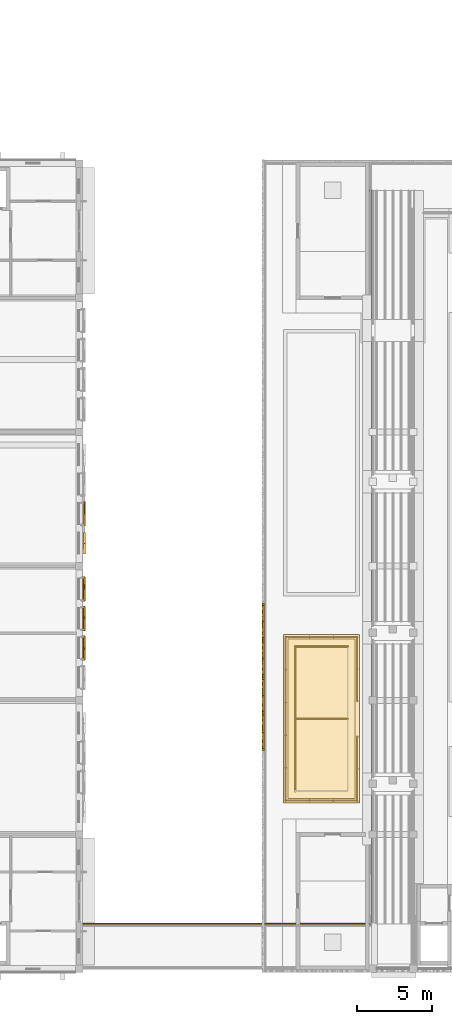
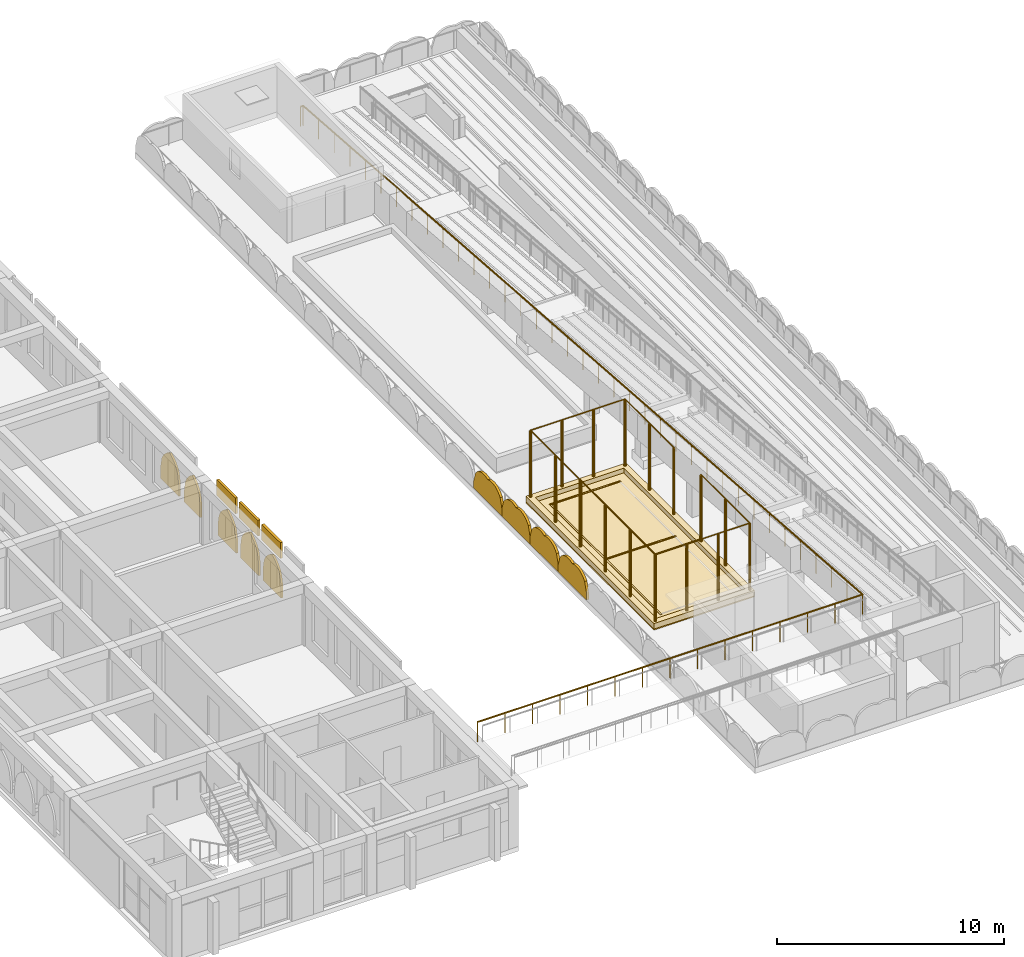
# One storey, part 44 of 50: 9 coverings, 9 shading devices, 2 railings.
"""IFC4 building model written with IfcOpenShell, lengths in metres."""

import ifcopenshell
import ifcopenshell.guid

model = None  # the IFC model being written
_history = None  # IfcOwnerHistory: only IFC2X3 demands one
_inside = {}  # id of a spatial element -> (the spatial element, [elements in it])
_under = {}  # id of a project, library or spatial element -> (it, [spatial elements below it])
_declared = {}  # id of a project -> (the project, [libraries it declares])
_typed = {}  # id of a type object -> (the type object, [elements of that type])
_made_of = {}  # id of a material, layer set ... -> (it, [elements and type objects made of it])


def new_model(schema):
    """Start an empty IFC model of exactly this schema.

    Asked for "IFC4X3", IfcOpenShell would pick the latest addendum, in which some entities
    have other attributes; the version numbers below select the first issue.
    IFC2X3 requires an IfcOwnerHistory on every rooted entity: one is made here for all.
    """
    global model, _history
    if schema == "IFC4X3":
        model = ifcopenshell.file(schema_version=(4, 3, 0, 0))
    else:
        model = ifcopenshell.file(schema=schema)
    _inside.clear()
    _under.clear()
    _declared.clear()
    _typed.clear()
    _made_of.clear()
    _history = None
    if model.schema == "IFC2X3":
        org = make("IfcOrganization", Name="unknown")
        user = make(
            "IfcPersonAndOrganization",
            ThePerson=make("IfcPerson", FamilyName="unknown"),
            TheOrganization=org,
        )
        app = make(
            "IfcApplication",
            ApplicationDeveloper=org,
            Version="unknown",
            ApplicationFullName="unknown",
            ApplicationIdentifier="unknown",
        )
        _history = make(
            "IfcOwnerHistory",
            OwningUser=user,
            OwningApplication=app,
            ChangeAction="ADDED",
            CreationDate=0,
        )
    return model


def make(cls, **values):
    """One entity of the class cls with the attributes given. An attribute that is None is left unset."""
    return model.create_entity(
        cls, **{name: value for name, value in values.items() if value is not None}
    )


def rooted(cls, **values):
    """An entity with a GlobalId (a new one), such as an element, a storey or a relation."""
    return make(cls, GlobalId=ifcopenshell.guid.new(), OwnerHistory=_history, **values)


def si_unit(unit_type, name, prefix=None):
    """IfcSIUnit, for example si_unit("LENGTHUNIT", "METRE", prefix="MILLI")."""
    return make("IfcSIUnit", UnitType=unit_type, Prefix=prefix, Name=name)


def assignment(units):
    """IfcUnitAssignment: the units of a project."""
    return None if units is None else make("IfcUnitAssignment", Units=units)


def point(xyz):
    """IfcCartesianPoint."""
    return None if xyz is None else make("IfcCartesianPoint", Coordinates=xyz)


def direction(xyz):
    """IfcDirection."""
    return None if xyz is None else make("IfcDirection", DirectionRatios=xyz)


def frame(location, z_axis=None, x_axis=None):
    """IfcAxis2Placement3D, a coordinate frame: its origin and axes. An axis left out is left unset."""
    return make(
        "IfcAxis2Placement3D",
        Location=point(location),
        Axis=direction(z_axis),
        RefDirection=direction(x_axis),
    )


def frame_2d(location, x_axis=None):
    """IfcAxis2Placement2D, a coordinate frame in the plane: its origin and x axis."""
    return make(
        "IfcAxis2Placement2D", Location=point(location), RefDirection=direction(x_axis)
    )


def origin():
    """The frame at (0, 0, 0) with its axes left unset."""
    return frame((0.0, 0.0, 0.0))


def origin_2d():
    """The frame at (0, 0) in the plane with its x axis left unset."""
    return frame_2d((0.0, 0.0))


def place(relative_to, where):
    """IfcLocalPlacement: puts the frame where relative to a parent placement (None: the world)."""
    return make(
        "IfcLocalPlacement", PlacementRelTo=relative_to, RelativePlacement=where
    )


def context(
    kind, dimensions, precision=None, world=None, true_north=None, identifier=None
):
    """IfcGeometricRepresentationContext, for example the 3D "Model" context."""
    return make(
        "IfcGeometricRepresentationContext",
        ContextIdentifier=identifier,
        ContextType=kind,
        CoordinateSpaceDimension=dimensions,
        Precision=precision,
        WorldCoordinateSystem=world,
        TrueNorth=true_north,
    )


def subcontext(parent, identifier, kind, view, scale=None):
    """IfcGeometricRepresentationSubContext, for example "Body" below "Model"."""
    return make(
        "IfcGeometricRepresentationSubContext",
        ContextIdentifier=identifier,
        ContextType=kind,
        ParentContext=parent,
        TargetScale=scale,
        TargetView=view,
    )


def project(units=None, contexts=None):
    """IfcProject with its units and contexts."""
    return rooted(
        "IfcProject",
        Name="project",
        RepresentationContexts=contexts,
        UnitsInContext=assignment(units),
    )


def spatial(cls, under=None, at=None, **own):
    """A site, building, storey or space (cls), placed at a placement, below another one or the project."""
    s = rooted(cls, ObjectPlacement=at, **own)
    if under is not None:
        _under.setdefault(under.id(), (under, []))[1].append(s)
    return s


def polyline(points):
    """IfcPolyline through the points."""
    return make("IfcPolyline", Points=[point(p) for p in points])


def profile(cls, at=None, kind="AREA", **sizes):
    """A parametric profile (cls). Its sizes go by their IFC names, for example OverallWidth=200.0."""
    return make(cls, ProfileType=kind, Position=at, **sizes)


def rectangle(**sizes):
    """IfcRectangleProfileDef."""
    return profile("IfcRectangleProfileDef", **sizes)


def circle(**sizes):
    """IfcCircleProfileDef."""
    return profile("IfcCircleProfileDef", **sizes)


def outline(outer, holes=None, kind="AREA"):
    """IfcArbitraryClosedProfileDef: a profile drawn as a closed curve; with holes, ...WithVoids."""
    if holes is None:
        return make("IfcArbitraryClosedProfileDef", ProfileType=kind, OuterCurve=outer)
    return make(
        "IfcArbitraryProfileDefWithVoids",
        ProfileType=kind,
        OuterCurve=outer,
        InnerCurves=holes,
    )


def extrude(swept, where, along, depth):
    """IfcExtrudedAreaSolid: the profile swept, set in the frame where, extruded along a direction by depth."""
    return make(
        "IfcExtrudedAreaSolid",
        SweptArea=swept,
        Position=where,
        ExtrudedDirection=direction(along),
        Depth=depth,
    )


def shape(context_of_items, identifier, shape_type, items):
    """IfcShapeRepresentation: the items that make up one representation, for example the "Body"."""
    return make(
        "IfcShapeRepresentation",
        ContextOfItems=context_of_items,
        RepresentationIdentifier=identifier,
        RepresentationType=shape_type,
        Items=items,
    )


def material(Name=None, Category=None):
    """IfcMaterial."""
    return make("IfcMaterial", Name=Name, Category=Category)


def layer(
    of_material, thickness, ventilated=None, Name=None, Category=None, Priority=None
):
    """IfcMaterialLayer: one layer of a wall or slab, of a material (None: an air gap)."""
    return make(
        "IfcMaterialLayer",
        Material=of_material,
        LayerThickness=thickness,
        IsVentilated=ventilated,
        Name=Name,
        Category=Category,
        Priority=Priority,
    )


def layer_set(layers, Name=None):
    """IfcMaterialLayerSet."""
    return make("IfcMaterialLayerSet", MaterialLayers=layers, LayerSetName=Name)


def made_of(thing, what):
    """Note that an element or type object is made of a material, layer set ...; save() writes the relation."""
    if what is not None:
        _made_of.setdefault(what.id(), (what, []))[1].append(thing)
    return thing


def type_object(cls, material=None, **own):
    """A type object (cls), such as IfcWallType, which elements share."""
    return made_of(rooted(cls, **own), material)


def element(
    cls,
    number,
    at=None,
    inside=None,
    cuts=None,
    type_object=None,
    material=None,
    context=None,
    identifier="Body",
    shape_type=None,
    held_by="IfcProductDefinitionShape",
    body=None,
    shapes=None,
    **own,
):
    """One element of the class cls, such as IfcWall. Its Tag is "e" and its number.

    at: its placement. inside: the storey or other place that contains it. cuts: it is an
    opening in that element (IfcRelVoidsElement). A single representation is given by context,
    identifier, shape_type and body (its items); several are given by shapes. held_by: the class
    of the entity that holds the representations. save() writes the other relations.
    """
    e = rooted(cls, Tag="e%d" % number, ObjectPlacement=at, **own)
    if body is not None:
        shapes = [shape(context, identifier, shape_type, body)]
    if shapes is not None:
        e.Representation = make(held_by, Representations=shapes)
    if inside is not None:
        _inside.setdefault(inside.id(), (inside, []))[1].append(e)
    if cuts is not None:
        rooted(
            "IfcRelVoidsElement", RelatingBuildingElement=cuts, RelatedOpeningElement=e
        )
    if type_object is not None:
        _typed.setdefault(type_object.id(), (type_object, []))[1].append(e)
    return made_of(e, material)


def aggregate(whole, parts):
    """IfcRelAggregates: a whole, such as a stair, and the parts it consists of."""
    return rooted("IfcRelAggregates", RelatingObject=whole, RelatedObjects=parts)


def save(model, path):
    """Write the relations noted so far, then the file.

    IfcRelAggregates (storeys below a building ...), IfcRelContainedInSpatialStructure (elements
    in a storey), IfcRelDefinesByType, IfcRelAssociatesMaterial and IfcRelDeclares: one each for
    every whole, place, type object, material and project.
    """
    for whole, parts in _under.values():
        aggregate(whole, parts)
    for where, things in _inside.values():
        rooted(
            "IfcRelContainedInSpatialStructure",
            RelatedElements=things,
            RelatingStructure=where,
        )
    for kind, things in _typed.values():
        rooted("IfcRelDefinesByType", RelatedObjects=things, RelatingType=kind)
    for what, things in _made_of.values():
        rooted("IfcRelAssociatesMaterial", RelatedObjects=things, RelatingMaterial=what)
    for by, libraries in _declared.values():
        rooted("IfcRelDeclares", RelatingContext=by, RelatedDefinitions=libraries)
    model.write(path)


model = new_model("IFC4")

# Units and contexts
model_context = context("Model", 3, precision=1e-05, world=origin(), true_north=direction((0.0, 1.0)))
body_context = subcontext(model_context, "Body", "Model", "MODEL_VIEW")
ifc_project = project(units=[si_unit("LENGTHUNIT", "METRE"), si_unit("AREAUNIT", "SQUARE_METRE"), si_unit("VOLUMEUNIT", "CUBIC_METRE"), si_unit("PLANEANGLEUNIT", "RADIAN"), si_unit("MASSUNIT", "GRAM", prefix="KILO")], contexts=[model_context])

# Site, building, storey
site_placement = place(None, origin())
site = spatial("IfcSite", under=ifc_project, at=site_placement, CompositionType="ELEMENT")
building_placement = place(site_placement, origin())
building = spatial("IfcBuilding", under=site, at=building_placement, Name="Elbe Cascade School", CompositionType="ELEMENT")
storey_placement = place(building_placement, frame((0.0, 0.0, 15.300048828125)))
storey = spatial("IfcBuildingStorey", under=building, at=storey_placement, Name="L04", CompositionType="ELEMENT", Elevation=15.300048828125)

# Shading devices
ifc_material_1 = material(Name="Precast concrete C40/50", Category="concrete")
ifc_layer_1 = layer(ifc_material_1, 0.1201171875)
ifc_layer_set_1 = layer_set([ifc_layer_1], Name="Precast concrete C40/50")
shading_device_type_1 = type_object("IfcShadingDeviceType", Name="Bars envelope Attic jali screen, pointed arch top, pierced precast concrete, 1200 high", PredefinedType="USERDEFINED", material=ifc_layer_set_1)
shading_device_1_placement = place(storey_placement, frame((98.3798828125, 20.613525390625, 0.39990234375), z_axis=(-1.0, 0.0, 0.0), x_axis=(0.0, 0.297341674145, 0.954771139497)))
element("IfcShadingDevice", 1, at=shading_device_1_placement, inside=storey, type_object=shading_device_type_1, Name="Attic jali screen SD1 B.L04.w7", ObjectType="JALI", PredefinedType="USERDEFINED", context=body_context, shape_type="SweptSolid", body=[
    extrude(outline(polyline([(0.0, 0.0), (0.5213843546183408, 0.0), (0.7310435248660785, 0.0968239861308065), (0.8775330225543048, 0.21332072462811125), (0.9850950836468173, 0.3419405245468374), (1.0623543497845827, 0.47999743814690954), (1.112807297308533, 0.6264025676958647), (1.1367596178235617, 0.7813164184342674), (1.1322013375835094, 0.9448535389739736), (1.2288077728077673, 1.0768852184544173), (1.2969762004591083, 1.2177732661588931), (1.3386440011015277, 1.3671700350528164), (1.353432889947968, 1.5246819214728944), (1.337918983839661, 1.6916309215743182), (1.2834776411356403, 1.870702983097163), (1.1658666258721082, 2.0694477969865064), (0.7366030194201371, 2.365249695429385), (0.35478780299032203, 2.4841573278143447), (-0.38181521642981503, 0.11890763238495955), (0.0, 0.0)])), origin(), (0.0, 0.0, -1.0), 0.1201171875),
])
shading_device_2_placement = place(storey_placement, frame((98.3798828125, 23.0908203125, 0.39990234375), z_axis=(-1.0, 0.0, 0.0), x_axis=(0.0, 0.296914729778, 0.954903996871)))
element("IfcShadingDevice", 2, at=shading_device_2_placement, inside=storey, type_object=shading_device_type_1, Name="Attic jali screen SD1 B.L04.w8", ObjectType="JALI", PredefinedType="USERDEFINED", context=body_context, shape_type="SweptSolid", body=[
    extrude(outline(polyline([(0.0, 0.0), (0.5213118135497831, 2.7755575615628914e-17), (0.7310001580840946, 0.09715085393298623), (0.8774375509870718, 0.2137130818339548), (0.9849420905019789, 0.3423809640007578), (1.0621396183974305, 0.48047240936850977), (1.1125995865002938, 0.6271332145803277), (1.1364101477737811, 0.7818246289712897), (1.1317787442967022, 0.9453596949816039), (1.2283261334568831, 1.0774345576902884), (1.296431557866498, 1.218353072018325), (1.3379600643944363, 1.3675353263841168), (1.3527510111297865, 1.5252869405939748), (1.3371624572979814, 1.6922289871461704), (1.282641050078106, 1.8712766879642004), (1.1649411801745964, 2.069968893608824), (0.7355453523079154, 2.365578822327823), (0.3536770059027736, 2.4843157186597797), (-0.3818683464051418, 0.11873689633195678), (0.0, 0.0)])), origin(), (0.0, 0.0, -1.0), 0.1201171875),
])
shading_device_3_placement = place(storey_placement, frame((98.3798828125, 25.568115234375, 0.39990234375), z_axis=(-1.0, 0.0, 0.0), x_axis=(0.0, 0.296914729778, 0.954903996871)))
element("IfcShadingDevice", 3, at=shading_device_3_placement, inside=storey, type_object=shading_device_type_1, Name="Attic jali screen SD1 B.L04.w9", ObjectType="JALI", PredefinedType="USERDEFINED", context=body_context, shape_type="SweptSolid", body=[
    extrude(outline(polyline([(0.0, 0.0), (0.5213118135497831, 2.7755575615628914e-17), (0.730927669136395, 0.09691772307437502), (0.8774375509870718, 0.2137130818339548), (0.9849420905019789, 0.3423809640007578), (1.0621396183974305, 0.48047240936850977), (1.1125995865002938, 0.6271332145803277), (1.1364101477737811, 0.7818246289712897), (1.1317787442967022, 0.9453596949816039), (1.2283261334568831, 1.0774345576902884), (1.296431557866498, 1.218353072018325), (1.3379600643944363, 1.3675353263841168), (1.3526785221820867, 1.5250538097353636), (1.3371624572979814, 1.6922289871461704), (1.282641050078106, 1.8712766879642004), (1.1649411801745964, 2.069968893608824), (0.7355453523079154, 2.365578822327823), (0.3536770059027736, 2.4843157186597797), (-0.3818683464051418, 0.11873689633195678), (0.0, 0.0)])), origin(), (0.0, 0.0, -1.0), 0.1201171875),
])
shading_device_4_placement = place(storey_placement, frame((98.3798828125, 28.04541015625, 0.39990234375), z_axis=(-1.0, 0.0, 0.0), x_axis=(0.0, 0.296914729778, 0.954903996871)))
element("IfcShadingDevice", 4, at=shading_device_4_placement, inside=storey, type_object=shading_device_type_1, Name="Attic jali screen SD1 B.L04.w10", ObjectType="JALI", PredefinedType="USERDEFINED", context=body_context, shape_type="SweptSolid", body=[
    extrude(outline(polyline([(0.0, 0.0), (0.5213118135497831, 2.7755575615628914e-17), (0.730927669136395, 0.09691772307437502), (0.8774375509870718, 0.2137130818339548), (0.9849420905019789, 0.3423809640007578), (1.0621396183974305, 0.48047240936850977), (1.1125270975525943, 0.6269000837217165), (1.1364101477737811, 0.7818246289712897), (1.1317787442967022, 0.9453596949816039), (1.2283261334568831, 1.0774345576902884), (1.296431557866498, 1.218353072018325), (1.3379600643944363, 1.3675353263841168), (1.3526785221820867, 1.5250538097353636), (1.3370899683502817, 1.6919958562875592), (1.282641050078106, 1.8712766879642004), (1.1649411801745964, 2.069968893608824), (0.7355453523079154, 2.365578822327823), (0.3536770059027736, 2.4843157186597797), (-0.3818683464051418, 0.11873689633195678), (0.0, 0.0)])), origin(), (0.0, 0.0, -1.0), 0.1201171875),
])
ifc_material_2 = material(Name="Precast concrete C40/50", Category="concrete")
ifc_layer_2 = layer(ifc_material_2, 0.10009765625)
ifc_layer_set_2 = layer_set([ifc_layer_2], Name="Precast concrete C40/50")
shading_device_type_2 = type_object("IfcShadingDeviceType", Name="Bars envelope Jali screen 1400 x 1840, pointed arch rise 1200, pierced precast concrete", PredefinedType="USERDEFINED", material=ifc_layer_set_2)
shading_device_5_placement = place(storey_placement, frame((86.5, 33.830078125, 0.599853515625), z_axis=(1.0, 0.0, 0.0), x_axis=(0.0, 1.0, 0.0)))
element("IfcShadingDevice", 5, at=shading_device_5_placement, inside=storey, type_object=shading_device_type_2, Name="Jali screen SD6 A.L04.e4.1", ObjectType="JALI", PredefinedType="USERDEFINED", context=body_context, shape_type="SweptSolid", body=[
    extrude(outline(polyline([(0.0, 0.0), (1.39990234375, 0.0), (1.39990234375, 0.64013671875), (1.3125, 1.123291015625), (1.224853515625, 1.312255859375), (1.137451171875, 1.44921875), (1.0498046875, 1.55810546875), (0.96240234375, 1.6474609375), (0.875, 1.72265625), (0.787353515625, 1.7861328125), (0.699951171875, 1.840087890625), (0.6123046875, 1.7861328125), (0.52490234375, 1.72265625), (0.4375, 1.6474609375), (0.349853515625, 1.55810546875), (0.262451171875, 1.44921875), (0.1748046875, 1.312255859375), (0.08740234375, 1.123291015625), (0.0, 0.64013671875), (0.0, 0.0)])), origin(), (0.0, 0.0, -1.0), 0.10009765625),
])
ifc_material_3 = material(Name="Precast concrete C40/50", Category="concrete")
ifc_layer_3 = layer(ifc_material_3, 0.10009765625)
ifc_layer_set_3 = layer_set([ifc_layer_3], Name="Precast concrete C40/50")
shading_device_type_3 = type_object("IfcShadingDeviceType", Name="Bars envelope Jali screen 1600 x 1840, pointed arch rise 1200, pierced precast concrete", PredefinedType="USERDEFINED", material=ifc_layer_set_3)
for number, where, z_axis, x_axis, name in (
    (6, (86.5, 26.7099609375, 0.599853515625), (1.0, 0.0, 0.0), (0.0, 1.0, 0.0), "Jali screen SD7 A.L04.e3.2"),
    (7, (86.5, 28.68994140625, 0.599853515625), (1.0, 0.0, 0.0), (0.0, 1.0, 0.0), "Jali screen SD7 A.L04.e3.3"),
):
    element("IfcShadingDevice", number, at=place(storey_placement, frame(where, z_axis=z_axis, x_axis=x_axis)), inside=storey, type_object=shading_device_type_3, Name=name, ObjectType="JALI", PredefinedType="USERDEFINED", context=body_context, shape_type="SweptSolid", body=[
        extrude(outline(polyline([(0.0, 0.0), (1.60009765625, 0.0), (1.60009765625, 0.64013671875), (1.5, 1.14013671875), (1.400146484375, 1.3330078125), (1.300048828125, 1.470703125), (1.199951171875, 1.578125), (1.10009765625, 1.664794921875), (1.0, 1.735595703125), (0.900146484375, 1.79345703125), (0.800048828125, 1.840087890625), (0.699951171875, 1.79345703125), (0.60009765625, 1.735595703125), (0.5, 1.664794921875), (0.400146484375, 1.578125), (0.300048828125, 1.470703125), (0.199951171875, 1.3330078125), (0.10009765625, 1.14013671875), (0.0, 0.64013671875), (0.0, 0.0)])), origin(), (0.0, 0.0, -1.0), 0.10009765625),
    ])
shading_device_6_placement = place(storey_placement, frame((86.5, 30.669921875, 0.599853515625), z_axis=(1.0, 0.0, 0.0), x_axis=(0.0, 1.0, 0.0)))
element("IfcShadingDevice", 8, at=shading_device_6_placement, inside=storey, type_object=shading_device_type_3, Name="Jali screen SD7 A.L04.e3.4", ObjectType="JALI", PredefinedType="USERDEFINED", context=body_context, shape_type="SweptSolid", body=[
    extrude(outline(polyline([(0.0, 0.0), (1.60009765625, 0.0), (1.60009765625, 0.64013671875), (1.5, 1.14013671875), (1.400146484375, 1.3330078125), (1.300048828125, 1.470703125), (1.2001953125, 1.578125), (1.10009765625, 1.664794921875), (1.0, 1.735595703125), (0.900146484375, 1.79345703125), (0.800048828125, 1.840087890625), (0.7001953125, 1.79345703125), (0.60009765625, 1.735595703125), (0.5, 1.664794921875), (0.400146484375, 1.578125), (0.300048828125, 1.470703125), (0.2001953125, 1.3330078125), (0.10009765625, 1.14013671875), (0.0, 0.64013671875), (0.0, 0.0)])), origin(), (0.0, 0.0, -1.0), 0.10009765625),
])
shading_device_7_placement = place(storey_placement, frame((86.5, 35.7099609375, 0.599853515625), z_axis=(1.0, 0.0, 0.0), x_axis=(0.0, 1.0, 0.0)))
element("IfcShadingDevice", 9, at=shading_device_7_placement, inside=storey, type_object=shading_device_type_3, Name="Jali screen SD7 A.L04.e4.2", ObjectType="JALI", PredefinedType="USERDEFINED", context=body_context, shape_type="SweptSolid", body=[
    extrude(outline(polyline([(0.0, 0.0), (1.60009765625, 0.0), (1.60009765625, 0.64013671875), (1.5, 1.14013671875), (1.400146484375, 1.3330078125), (1.300048828125, 1.470703125), (1.199951171875, 1.578125), (1.10009765625, 1.664794921875), (1.0, 1.735595703125), (0.900146484375, 1.79345703125), (0.800048828125, 1.840087890625), (0.699951171875, 1.79345703125), (0.60009765625, 1.735595703125), (0.5, 1.664794921875), (0.400146484375, 1.578125), (0.300048828125, 1.470703125), (0.199951171875, 1.3330078125), (0.10009765625, 1.14013671875), (0.0, 0.64013671875), (0.0, 0.0)])), origin(), (0.0, 0.0, -1.0), 0.10009765625),
])

# Coverings
ifc_material_4 = material(Name="Bituminous waterproofing membrane", Category="membrane")
ifc_layer_4 = layer(ifc_material_4, 0.06005859375)
ifc_layer_set_4 = layer_set([ifc_layer_4], Name="Bituminous waterproofing membrane")
covering_type_1 = type_object("IfcCoveringType", Name="Bars envelope Roof covering, bituminous waterproofing membrane", PredefinedType="ROOFING", material=ifc_layer_set_4)
covering_1_placement = place(storey_placement, origin())
element("IfcCovering", 10, at=covering_1_placement, inside=storey, type_object=covering_type_1, Name="Roof covering CV49 B.L04.1", PredefinedType="ROOFING", context=body_context, shape_type="SweptSolid", body=[
    extrude(outline(polyline([(104.89990234375, 17.125), (99.800048828125, 17.125), (99.800048828125, 28.39990234375), (104.89990234375, 28.39990234375), (104.89990234375, 17.125)])), origin(), (0.0, 0.0, 1.0), 0.06005859375),
])
ifc_material_5 = material(Name="Sandstone - red", Category="masonry")
covering_type_2 = type_object("IfcCoveringType", Name="Bars envelope Sandstone spandrel band, 120 deep", PredefinedType="CLADDING", material=ifc_material_5)
for number, where, z_axis, x_axis, name in (
    (11, (86.409912109375, 27.510009765625, 2.75), (0.0, 0.0, 1.0), (0.0, 1.0, 0.0), "Spandrel band CV53 A.L04.e2.2"),
    (12, (86.409912109375, 29.489990234375, 2.75), (0.0, 0.0, 1.0), (0.0, 1.0, 0.0), "Spandrel band CV53 A.L04.e2.3"),
    (13, (86.409912109375, 31.469970703125, 2.75), (0.0, 0.0, 1.0), (0.0, 1.0, 0.0), "Spandrel band CV53 A.L04.e2.4"),
):
    element("IfcCovering", number, at=place(storey_placement, frame(where, z_axis=z_axis, x_axis=x_axis)), inside=storey, type_object=covering_type_2, Name=name, PredefinedType="CLADDING", context=body_context, shape_type="SweptSolid", body=[
        extrude(rectangle(XDim=1.639892578125, YDim=0.1201171875, at=origin_2d()), origin(), (0.0, 0.0, 1.0), 0.85009765625),
    ])
ifc_material_6 = material(Name="Concrete C30/37 precast kerb", Category="concrete")
ifc_layer_5 = layer(ifc_material_6, 0.300048828125)
ifc_layer_set_5 = layer_set([ifc_layer_5], Name="Concrete C30/37 precast kerb")
covering_type_3 = type_object("IfcCoveringType", Name="Court kerb 300x300", PredefinedType="CLADDING", material=ifc_layer_set_5)
covering_2_placement = place(storey_placement, frame((0.0, 0.0, 0.06005859375)))
element("IfcCovering", 14, at=covering_2_placement, inside=storey, type_object=covering_type_3, Name="Court kerb B.w1", PredefinedType="CLADDING", context=body_context, shape_type="SweptSolid", body=[
    extrude(outline(polyline([(99.800048828125, 28.39990234375), (104.89990234375, 28.39990234375), (104.89990234375, 17.125), (103.300048828125, 17.125), (102.89990234375, 17.125), (99.800048828125, 17.125), (99.800048828125, 28.39990234375)]), holes=[polyline([(100.10009765625, 28.10009765625), (104.60009765625, 28.10009765625), (104.60009765625, 17.425048828125), (100.10009765625, 17.425048828125), (100.10009765625, 28.10009765625)])]), origin(), (0.0, 0.0, 1.0), 0.2998046875),
])
ifc_material_7 = material(Name="Concrete paving slabs", Category="concrete")
ifc_layer_6 = layer(ifc_material_7, 0.050048828125)
ifc_layer_set_6 = layer_set([ifc_layer_6], Name="Concrete paving slabs")
covering_type_4 = type_object("IfcCoveringType", Name="Court paving 50", PredefinedType="FLOORING", material=ifc_layer_set_6)
covering_3_placement = place(storey_placement, frame((0.0, 0.0, 0.06005859375)))
element("IfcCovering", 15, at=covering_3_placement, inside=storey, type_object=covering_type_4, Name="Court paving B.w1", PredefinedType="FLOORING", context=body_context, shape_type="SweptSolid", body=[
    extrude(outline(polyline([(100.10009765625, 28.10009765625), (104.60009765625, 28.10009765625), (104.60009765625, 17.425048828125), (100.10009765625, 17.425048828125), (100.10009765625, 28.10009765625)])), origin(), (0.0, 0.0, 1.0), 0.0498046875),
])
ifc_material_8 = material(Name="Running track surfacing - white lines", Category="surfacing")
ifc_layer_7 = layer(ifc_material_8, 0.02001953125)
ifc_layer_set_7 = layer_set([ifc_layer_7], Name="Running track surfacing - white lines")
covering_type_5 = type_object("IfcCoveringType", Name="Lane marking 80", PredefinedType="FLOORING", material=ifc_layer_set_7)
covering_4_placement = place(storey_placement, frame((0.0, 0.0, 0.10986328125)))
element("IfcCovering", 16, at=covering_4_placement, inside=storey, type_object=covering_type_5, Name="Court marking B.w1.2", PredefinedType="FLOORING", context=body_context, shape_type="SweptSolid", body=[
    extrude(outline(polyline([(100.550048828125, 27.570068359375), (104.14990234375, 27.570068359375), (104.14990234375, 27.64990234375), (100.550048828125, 27.64990234375), (100.550048828125, 27.570068359375)])), origin(), (0.0, 0.0, 1.0), 0.02001953125),
])
covering_5_placement = place(storey_placement, frame((0.0, 0.0, 0.10986328125)))
element("IfcCovering", 17, at=covering_5_placement, inside=storey, type_object=covering_type_5, Name="Court marking B.w1.3", PredefinedType="FLOORING", context=body_context, shape_type="SweptSolid", body=[
    extrude(outline(polyline([(100.550048828125, 17.875), (100.6298828125, 17.875), (100.6298828125, 27.64990234375), (100.550048828125, 27.64990234375), (100.550048828125, 17.875)])), origin(), (0.0, 0.0, 1.0), 0.02001953125),
])
covering_6_placement = place(storey_placement, frame((0.0, 0.0, 0.10986328125)))
element("IfcCovering", 18, at=covering_6_placement, inside=storey, type_object=covering_type_5, Name="Court marking B.w1.5", PredefinedType="FLOORING", context=body_context, shape_type="SweptSolid", body=[
    extrude(outline(polyline([(100.550048828125, 22.722412109375), (104.14990234375, 22.722412109375), (104.14990234375, 22.802490234375), (100.550048828125, 22.802490234375), (100.550048828125, 22.722412109375)])), origin(), (0.0, 0.0, 1.0), 0.02001953125),
])

# Railings
ifc_material_9 = material(Name="Steel S355J2H", Category="steel")
railing_type_1 = type_object("IfcRailingType", Name="Roof ball-stop fence 3600", PredefinedType="USERDEFINED", material=ifc_material_9)
railing_1_placement = place(storey_placement, frame((104.75, 23.96240234375, 0.35986328125)))
element("IfcRailing", 19, at=railing_1_placement, inside=storey, type_object=railing_type_1, Name="Roof ball-stop fence B.w1", ObjectType="BALL-STOP FENCE", PredefinedType="USERDEFINED", context=body_context, shape_type="SweptSolid", body=[
    extrude(circle(Radius=0.030029296875, at=origin_2d()), frame((0.0, 0.0, 3.570068359375), z_axis=(0.0, 1.0, 0.0), x_axis=(-1.0, 0.0, 0.0)), (0.0, 0.0, 1.0), 4.28759765625),
    extrude(circle(Radius=0.030029296875, at=origin_2d()), frame((0.0, 4.28759765625, 3.570068359375), z_axis=(-1.0, 0.0, 0.0), x_axis=(0.0, -1.0, 0.0)), (0.0, 0.0, 1.0), 4.800048828125),
    extrude(circle(Radius=0.030029296875, at=origin_2d()), frame((-4.800048828125, 4.28759765625, 3.570068359375), z_axis=(0.0, -1.0, 0.0), x_axis=(1.0, 0.0, 0.0)), (0.0, 0.0, 1.0), 10.97509765625),
    extrude(circle(Radius=0.030029296875, at=origin_2d()), frame((-4.800048828125, -6.6875, 3.570068359375), z_axis=(1.0, 0.0, 0.0), x_axis=(0.0, 1.0, 0.0)), (0.0, 0.0, 1.0), 4.800048828125),
    extrude(circle(Radius=0.030029296875, at=origin_2d()), frame((0.0, -6.6875, 3.570068359375), z_axis=(0.0, 1.0, 0.0), x_axis=(-1.0, 0.0, 0.0)), (0.0, 0.0, 1.0), 4.28759765625),
    extrude(circle(Radius=0.06005859375, at=origin_2d()), origin(), (0.0, 0.0, 1.0), 3.5400390625),
    extrude(circle(Radius=0.06005859375, at=origin_2d()), frame((0.0, 2.143798828125, 0.0)), (0.0, 0.0, 1.0), 3.5400390625),
    extrude(circle(Radius=0.06005859375, at=origin_2d()), frame((0.0, 4.28759765625, 0.0)), (0.0, 0.0, 1.0), 3.5400390625),
    extrude(circle(Radius=0.06005859375, at=origin_2d()), frame((-1.60009765625, 4.28759765625, 0.0)), (0.0, 0.0, 1.0), 3.5400390625),
    extrude(circle(Radius=0.06005859375, at=origin_2d()), frame((-3.199951171875, 4.28759765625, 0.0)), (0.0, 0.0, 1.0), 3.5400390625),
    extrude(circle(Radius=0.06005859375, at=origin_2d()), frame((-4.800048828125, 4.28759765625, 0.0)), (0.0, 0.0, 1.0), 3.5400390625),
    extrude(circle(Radius=0.06005859375, at=origin_2d()), frame((-4.800048828125, 2.092529296875, 0.0)), (0.0, 0.0, 1.0), 3.5400390625),
    extrude(circle(Radius=0.06005859375, at=origin_2d()), frame((-4.800048828125, -0.1025390625, 0.0)), (0.0, 0.0, 1.0), 3.5400390625),
    extrude(circle(Radius=0.06005859375, at=origin_2d()), frame((-4.800048828125, -2.29736328125, 0.0)), (0.0, 0.0, 1.0), 3.5400390625),
    extrude(circle(Radius=0.06005859375, at=origin_2d()), frame((-4.800048828125, -4.492431640625, 0.0)), (0.0, 0.0, 1.0), 3.5400390625),
    extrude(circle(Radius=0.06005859375, at=origin_2d()), frame((-4.800048828125, -6.6875, 0.0)), (0.0, 0.0, 1.0), 3.5400390625),
    extrude(circle(Radius=0.06005859375, at=origin_2d()), frame((-3.199951171875, -6.6875, 0.0)), (0.0, 0.0, 1.0), 3.5400390625),
    extrude(circle(Radius=0.06005859375, at=origin_2d()), frame((-1.60009765625, -6.6875, 0.0)), (0.0, 0.0, 1.0), 3.5400390625),
    extrude(circle(Radius=0.06005859375, at=origin_2d()), frame((0.0, -6.6875, 0.0)), (0.0, 0.0, 1.0), 3.5400390625),
    extrude(circle(Radius=0.06005859375, at=origin_2d()), frame((0.0, -4.543701171875, 0.0)), (0.0, 0.0, 1.0), 3.5400390625),
    extrude(circle(Radius=0.06005859375, at=origin_2d()), frame((0.0, -2.39990234375, 0.0)), (0.0, 0.0, 1.0), 3.5400390625),
])
ifc_material_10 = material(Name="Steel S355J2H", Category="steel")
railing_type_2 = type_object("IfcRailingType", Name="Track guard 1100", PredefinedType="GUARDRAIL", material=ifc_material_10)
railing_2_placement = place(storey_placement, frame((86.14208984375, 9.0, 3.719970703125)))
element("IfcRailing", 20, at=railing_2_placement, inside=storey, type_object=railing_type_2, Name="Track guard RL4 A-B north and west", PredefinedType="GUARDRAIL", context=body_context, shape_type="SweptSolid", body=[
    extrude(circle(Radius=0.0400390625, at=origin_2d()), frame((0.0, 0.0, 1.06005859375), z_axis=(1.0, 0.0, 0.0), x_axis=(0.0, 1.0, 0.0)), (0.0, 0.0, 1.0), 19.557861328125),
    extrude(circle(Radius=0.0400390625, at=origin_2d()), frame((19.557861328125, 0.0, 1.06005859375), z_axis=(0.0, 0.997333574242, -0.0729776794), x_axis=(-1.0, 0.0, 0.0)), (0.0, 0.0, 1.0), 49.33154296875),
    extrude(circle(Radius=0.0400390625, at=origin_2d()), frame((19.557861328125, 49.199951171875, -2.5400390625), z_axis=(-1.0, 0.0, 0.0), x_axis=(0.0, -1.0, 0.0)), (0.0, 0.0, 1.0), 0.12890625),
    extrude(circle(Radius=0.02099609375, at=origin_2d()), origin(), (0.0, 0.0, 1.0), 1.02001953125),
    extrude(circle(Radius=0.02099609375, at=origin_2d()), frame((1.39697265625, 0.0, 0.0)), (0.0, 0.0, 1.0), 1.02001953125),
    extrude(circle(Radius=0.02099609375, at=origin_2d()), frame((2.7939453125, 0.0, 0.0)), (0.0, 0.0, 1.0), 1.02001953125),
    extrude(circle(Radius=0.02099609375, at=origin_2d()), frame((4.19091796875, 0.0, 0.0)), (0.0, 0.0, 1.0), 1.02001953125),
    extrude(circle(Radius=0.02099609375, at=origin_2d()), frame((5.587890625, 0.0, 0.0)), (0.0, 0.0, 1.0), 1.02001953125),
    extrude(circle(Radius=0.02099609375, at=origin_2d()), frame((6.98486328125, 0.0, 0.0)), (0.0, 0.0, 1.0), 1.02001953125),
    extrude(circle(Radius=0.02099609375, at=origin_2d()), frame((8.3818359375, 0.0, 0.0)), (0.0, 0.0, 1.0), 1.02001953125),
    extrude(circle(Radius=0.02099609375, at=origin_2d()), frame((9.77880859375, 0.0, 0.0)), (0.0, 0.0, 1.0), 1.02001953125),
    extrude(circle(Radius=0.02099609375, at=origin_2d()), frame((11.176025390625, 0.0, 0.0)), (0.0, 0.0, 1.0), 1.02001953125),
    extrude(circle(Radius=0.02099609375, at=origin_2d()), frame((12.572998046875, 0.0, 0.0)), (0.0, 0.0, 1.0), 1.02001953125),
    extrude(circle(Radius=0.02099609375, at=origin_2d()), frame((13.969970703125, 0.0, 0.0)), (0.0, 0.0, 1.0), 1.02001953125),
    extrude(circle(Radius=0.02099609375, at=origin_2d()), frame((15.366943359375, 0.0, 0.0)), (0.0, 0.0, 1.0), 1.02001953125),
    extrude(circle(Radius=0.02099609375, at=origin_2d()), frame((16.763916015625, 0.0, 0.0)), (0.0, 0.0, 1.0), 1.02001953125),
    extrude(circle(Radius=0.02099609375, at=origin_2d()), frame((18.160888671875, 0.0, 0.0)), (0.0, 0.0, 1.0), 1.02001953125),
    extrude(circle(Radius=0.02099609375, at=origin_2d()), frame((19.557861328125, 0.0, 0.0)), (0.0, 0.0, 1.0), 1.02001953125),
    extrude(circle(Radius=0.02099609375, at=origin_2d()), frame((19.557861328125, 1.36669921875, -0.10009765625)), (0.0, 0.0, 1.0), 1.02001953125),
    extrude(circle(Radius=0.02099609375, at=origin_2d()), frame((19.557861328125, 2.7333984375, -0.199951171875)), (0.0, 0.0, 1.0), 1.02001953125),
    extrude(circle(Radius=0.02099609375, at=origin_2d()), frame((19.557861328125, 4.10009765625, -0.300048828125)), (0.0, 0.0, 1.0), 1.02001953125),
    extrude(circle(Radius=0.02099609375, at=origin_2d()), frame((19.557861328125, 5.466552734375, -0.39990234375)), (0.0, 0.0, 1.0), 1.02001953125),
    extrude(circle(Radius=0.02099609375, at=origin_2d()), frame((19.557861328125, 6.833251953125, -0.5)), (0.0, 0.0, 1.0), 1.02001953125),
    extrude(circle(Radius=0.02099609375, at=origin_2d()), frame((19.557861328125, 8.199951171875, -0.60009765625)), (0.0, 0.0, 1.0), 1.02001953125),
    extrude(circle(Radius=0.02099609375, at=origin_2d()), frame((19.557861328125, 9.566650390625, -0.699951171875)), (0.0, 0.0, 1.0), 1.02001953125),
    extrude(circle(Radius=0.02099609375, at=origin_2d()), frame((19.557861328125, 10.933349609375, -0.800048828125)), (0.0, 0.0, 1.0), 1.02001953125),
    extrude(circle(Radius=0.02099609375, at=origin_2d()), frame((19.557861328125, 12.300048828125, -0.89990234375)), (0.0, 0.0, 1.0), 1.02001953125),
    extrude(circle(Radius=0.02099609375, at=origin_2d()), frame((19.557861328125, 13.666748046875, -1.0)), (0.0, 0.0, 1.0), 1.02001953125),
    extrude(circle(Radius=0.02099609375, at=origin_2d()), frame((19.557861328125, 15.033203125, -1.10009765625)), (0.0, 0.0, 1.0), 1.02001953125),
    extrude(circle(Radius=0.02099609375, at=origin_2d()), frame((19.557861328125, 16.39990234375, -1.199951171875)), (0.0, 0.0, 1.0), 1.02001953125),
    extrude(circle(Radius=0.02099609375, at=origin_2d()), frame((19.557861328125, 17.7666015625, -1.300048828125)), (0.0, 0.0, 1.0), 1.02001953125),
    extrude(circle(Radius=0.02099609375, at=origin_2d()), frame((19.557861328125, 19.13330078125, -1.400146484375)), (0.0, 0.0, 1.0), 1.02001953125),
    extrude(circle(Radius=0.02099609375, at=origin_2d()), frame((19.557861328125, 20.5, -1.5)), (0.0, 0.0, 1.0), 1.02001953125),
    extrude(circle(Radius=0.02099609375, at=origin_2d()), frame((19.557861328125, 21.86669921875, -1.60009765625)), (0.0, 0.0, 1.0), 1.02001953125),
    extrude(circle(Radius=0.02099609375, at=origin_2d()), frame((19.557861328125, 23.2333984375, -1.699951171875)), (0.0, 0.0, 1.0), 1.02001953125),
    extrude(circle(Radius=0.02099609375, at=origin_2d()), frame((19.557861328125, 24.60009765625, -1.800048828125)), (0.0, 0.0, 1.0), 1.02001953125),
    extrude(circle(Radius=0.02099609375, at=origin_2d()), frame((19.557861328125, 25.966552734375, -1.900146484375)), (0.0, 0.0, 1.0), 1.02001953125),
    extrude(circle(Radius=0.02099609375, at=origin_2d()), frame((19.557861328125, 27.333251953125, -2.0)), (0.0, 0.0, 1.0), 1.02001953125),
    extrude(circle(Radius=0.02099609375, at=origin_2d()), frame((19.557861328125, 28.699951171875, -2.10009765625)), (0.0, 0.0, 1.0), 1.02001953125),
    extrude(circle(Radius=0.02099609375, at=origin_2d()), frame((19.557861328125, 30.066650390625, -2.199951171875)), (0.0, 0.0, 1.0), 1.02001953125),
    extrude(circle(Radius=0.02099609375, at=origin_2d()), frame((19.557861328125, 31.433349609375, -2.300048828125)), (0.0, 0.0, 1.0), 1.02001953125),
    extrude(circle(Radius=0.02099609375, at=origin_2d()), frame((19.557861328125, 32.800048828125, -2.400146484375)), (0.0, 0.0, 1.0), 1.02001953125),
    extrude(circle(Radius=0.02099609375, at=origin_2d()), frame((19.557861328125, 34.166748046875, -2.5)), (0.0, 0.0, 1.0), 1.02001953125),
    extrude(circle(Radius=0.02099609375, at=origin_2d()), frame((19.557861328125, 35.533203125, -2.60009765625)), (0.0, 0.0, 1.0), 1.02001953125),
    extrude(circle(Radius=0.02099609375, at=origin_2d()), frame((19.557861328125, 36.89990234375, -2.7001953125)), (0.0, 0.0, 1.0), 1.02001953125),
    extrude(circle(Radius=0.02099609375, at=origin_2d()), frame((19.557861328125, 38.2666015625, -2.800048828125)), (0.0, 0.0, 1.0), 1.02001953125),
    extrude(circle(Radius=0.02099609375, at=origin_2d()), frame((19.557861328125, 39.63330078125, -2.900146484375)), (0.0, 0.0, 1.0), 1.02001953125),
    extrude(circle(Radius=0.02099609375, at=origin_2d()), frame((19.557861328125, 41.0, -3.0)), (0.0, 0.0, 1.0), 1.02001953125),
    extrude(circle(Radius=0.02099609375, at=origin_2d()), frame((19.557861328125, 42.36669921875, -3.10009765625)), (0.0, 0.0, 1.0), 1.02001953125),
    extrude(circle(Radius=0.02099609375, at=origin_2d()), frame((19.557861328125, 43.7333984375, -3.2001953125)), (0.0, 0.0, 1.0), 1.02001953125),
    extrude(circle(Radius=0.02099609375, at=origin_2d()), frame((19.557861328125, 45.099853515625, -3.300048828125)), (0.0, 0.0, 1.0), 1.02001953125),
    extrude(circle(Radius=0.02099609375, at=origin_2d()), frame((19.557861328125, 46.466552734375, -3.400146484375)), (0.0, 0.0, 1.0), 1.02001953125),
    extrude(circle(Radius=0.02099609375, at=origin_2d()), frame((19.557861328125, 47.833251953125, -3.5)), (0.0, 0.0, 1.0), 1.02001953125),
    extrude(circle(Radius=0.02099609375, at=origin_2d()), frame((19.557861328125, 49.199951171875, -3.60009765625)), (0.0, 0.0, 1.0), 1.02001953125),
    extrude(circle(Radius=0.02099609375, at=origin_2d()), frame((19.428955078125, 49.199951171875, -3.60009765625)), (0.0, 0.0, 1.0), 1.02001953125),
])

save(model, "model.ifc")
